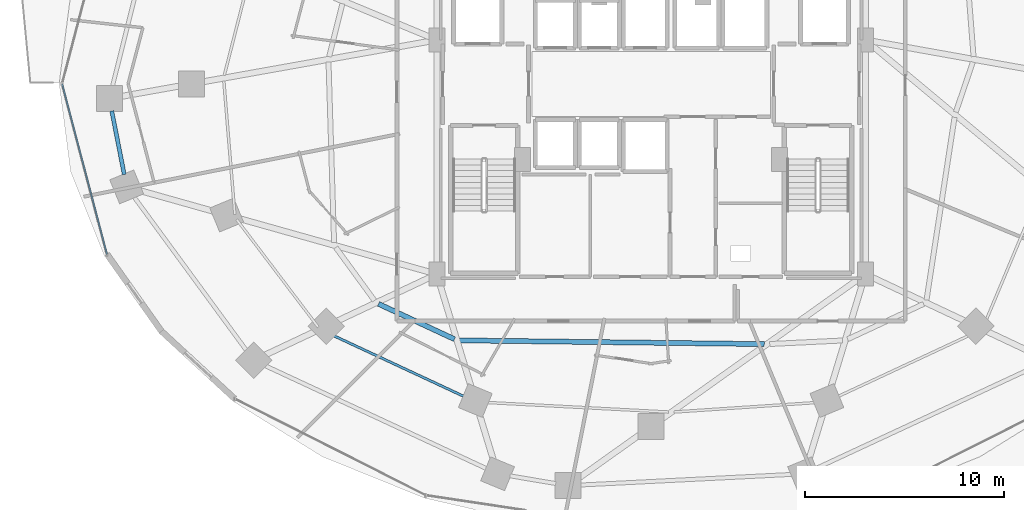
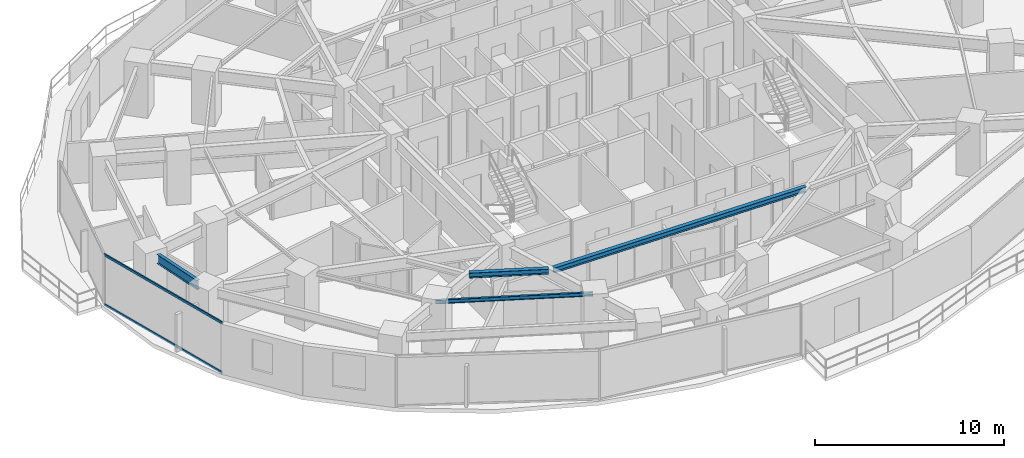
# One storey, part 7 of 35: 4 beams, 2 members, 1 element without a shape of its own.
"""IFC4 building model written with IfcOpenShell, lengths in metres."""

from ifc_helpers import new_model, si_unit, direction, frame, origin, origin_2d, place, context, subcontext, project, spatial, hollow_rectangle, i_section, extrude, material, material_profile, profile_set, type_object, element, aggregate, save


model = new_model("IFC4")

# Units and contexts
model_context = context("Model", 3, precision=1e-05, world=origin(), true_north=direction((0.0, 1.0)))
body_context = subcontext(model_context, "Body", "Model", "MODEL_VIEW")
ifc_project = project(units=[si_unit("LENGTHUNIT", "METRE"), si_unit("AREAUNIT", "SQUARE_METRE"), si_unit("VOLUMEUNIT", "CUBIC_METRE"), si_unit("PLANEANGLEUNIT", "RADIAN"), si_unit("MASSUNIT", "GRAM", prefix="KILO")], contexts=[model_context])

# Site, building, storey
site_placement = place(None, origin())
site = spatial("IfcSite", under=ifc_project, at=site_placement, CompositionType="ELEMENT")
building_placement = place(site_placement, origin())
building = spatial("IfcBuilding", under=site, at=building_placement, Name="Vorneva Point Tower", CompositionType="ELEMENT")
storey_placement = place(building_placement, frame((0.0, 0.0, 45.0)))
storey = spatial("IfcBuildingStorey", under=building, at=storey_placement, Name="L11", CompositionType="ELEMENT", Elevation=45.0)

# Beams
ifc_material_1 = material(Name="Steel S355", Category="steel")
ifc_material_profile_1 = material_profile(ifc_material_1, i_section(OverallWidth=0.1240234375, OverallDepth=0.248046875, WebThickness=0.0048828125, FlangeThickness=0.008056640625, at=origin_2d()), Name="25B1")
ifc_profile_set_1 = profile_set([ifc_material_profile_1], Name="Steel S355")
beam_type_1 = type_object("IfcBeamType", Name="BM-JST-25B1", PredefinedType="JOIST", material=ifc_profile_set_1)
beam_1_placement = place(storey_placement, frame((21.50390625, 13.627685546875, 3.115966796875), z_axis=(0.90643314629, -0.422349323791, 0.0), x_axis=(0.422349323791, 0.90643314629, 0.0)))
element("IfcBeam", 1, at=beam_1_placement, inside=storey, type_object=beam_type_1, Name="L11 Secondary Floor Beam 1.11", PredefinedType="JOIST", context=body_context, shape_type="SweptSolid", body=[
    extrude(i_section(OverallWidth=0.1240234375, OverallDepth=0.248046875, WebThickness=0.0048828125, FlangeThickness=0.008056640625, at=origin_2d()), origin(), (0.0, 0.0, 1.0), 8.352294921875),
])
ifc_material_profile_2 = material_profile(ifc_material_1, i_section(OverallWidth=0.2490234375, OverallDepth=0.333984375, WebThickness=0.008056640625, FlangeThickness=0.010986328125, at=origin_2d()), Name="35Sh1")
ifc_profile_set_2 = profile_set([ifc_material_profile_2], Name="Steel S355")
beam_type_2 = type_object("IfcBeamType", Name="BM-SEC-35Sh1", PredefinedType="BEAM", material=ifc_profile_set_2)
beam_2_placement = place(storey_placement, frame((24.327392578125, 14.95703125, 3.072998046875), z_axis=(0.906807431122, -0.421545113673, 0.0), x_axis=(0.421545113673, 0.906807431122, 0.0)))
element("IfcBeam", 2, at=beam_2_placement, inside=storey, type_object=beam_type_2, Name="L11 Secondary Floor Beam 2.11", PredefinedType="BEAM", context=body_context, shape_type="SweptSolid", body=[
    extrude(i_section(OverallWidth=0.2490234375, OverallDepth=0.333984375, WebThickness=0.008056640625, FlangeThickness=0.010986328125, at=origin_2d()), origin(), (0.0, 0.0, 1.0), 4.199462890625),
])
beam_3_placement = place(storey_placement, frame((28.3984375, 13.126953125, 3.072998046875), z_axis=(0.999925495664, -0.012206683476, 0.0), x_axis=(0.012206683476, 0.999925495664, 0.0)))
element("IfcBeam", 3, at=beam_3_placement, inside=storey, type_object=beam_type_2, Name="L11 Secondary Floor Beam 2.12", PredefinedType="BEAM", context=body_context, shape_type="SweptSolid", body=[
    extrude(i_section(OverallWidth=0.2490234375, OverallDepth=0.333984375, WebThickness=0.008056640625, FlangeThickness=0.010986328125, at=origin_2d()), origin(), (0.0, 0.0, 1.0), 15.280517578125),
])
ifc_material_profile_3 = material_profile(ifc_material_1, i_section(OverallWidth=0.198974609375, OverallDepth=0.595947265625, WebThickness=0.010009765625, FlangeThickness=0.014892578125, at=origin_2d()), Name="60B1")
ifc_profile_set_3 = profile_set([ifc_material_profile_3], Name="Steel S355")
beam_type_3 = type_object("IfcBeamType", Name="BM-SPN-60B1", PredefinedType="SPANDREL", material=ifc_profile_set_3)
beam_4_placement = place(storey_placement, frame((10.940185546875, 24.6376953125, 2.94189453125), z_axis=(0.192701334008, -0.981257456467, 0.0), x_axis=(0.981257456467, 0.192701334008, 0.0)))
element("IfcBeam", 4, at=beam_4_placement, inside=storey, type_object=beam_type_3, Name="L11 Perimeter Spandrel Ring Beam 09", PredefinedType="SPANDREL", context=body_context, shape_type="SweptSolid", body=[
    extrude(i_section(OverallWidth=0.198974609375, OverallDepth=0.595947265625, WebThickness=0.010009765625, FlangeThickness=0.014892578125, at=origin_2d()), origin(), (0.0, 0.0, 1.0), 3.245849609375),
])

# Curtain wall, members
ifc_material_2 = material(Name="Pale anodised aluminium", Category="aluminium")
curtain_wall_type = type_object("IfcCurtainWallType", Name="CW-HTL-SYS", PredefinedType="NOTDEFINED", material=ifc_material_2)
curtain_wall_placement = place(storey_placement, origin())
curtain_wall = element("IfcCurtainWall", 5, at=curtain_wall_placement, inside=storey, type_object=curtain_wall_type, Name="L11 Unitised Curtain Wall CW-L11-R03", PredefinedType="NOTDEFINED")
ifc_material_profile_4 = material_profile(ifc_material_2, hollow_rectangle(XDim=0.074951171875, YDim=0.14990234375, WallThickness=0.00390625, at=origin_2d()), Name="AL-TRN 150x75x4")
ifc_profile_set_4 = profile_set([ifc_material_profile_4], Name="Pale anodised aluminium")
member_type = type_object("IfcMemberType", Name="CW-TRN-150", PredefinedType="USERDEFINED", material=ifc_profile_set_4)
member_1_placement = place(storey_placement, frame((8.449951171875, 26.0, 0.02001953125), z_axis=(0.254358772746, -0.967109928978, 0.0), x_axis=(0.967109928978, 0.254358772746, 0.0)))
member_1 = element("IfcMember", 6, at=member_1_placement, type_object=member_type, Name="CW-L11-R03 Transom 02.1", ObjectType="TRANSOM", PredefinedType="USERDEFINED", context=body_context, shape_type="SweptSolid", body=[
    extrude(hollow_rectangle(XDim=0.074951171875, YDim=0.14990234375, WallThickness=0.00390625, at=origin_2d()), origin(), (0.0, 0.0, 1.0), 8.84375),
])
member_2_placement = place(storey_placement, frame((8.449951171875, 26.0, 3.219970703125), z_axis=(0.254358772746, -0.967109928978, 0.0), x_axis=(0.967109928978, 0.254358772746, 0.0)))
member_2 = element("IfcMember", 7, at=member_2_placement, type_object=member_type, Name="CW-L11-R03 Transom 02.2", ObjectType="TRANSOM", PredefinedType="USERDEFINED", context=body_context, shape_type="SweptSolid", body=[
    extrude(hollow_rectangle(XDim=0.074951171875, YDim=0.14990234375, WallThickness=0.00390625, at=origin_2d()), origin(), (0.0, 0.0, 1.0), 8.84375),
])
aggregate(curtain_wall, [member_1, member_2])

save(model, "model.ifc")
